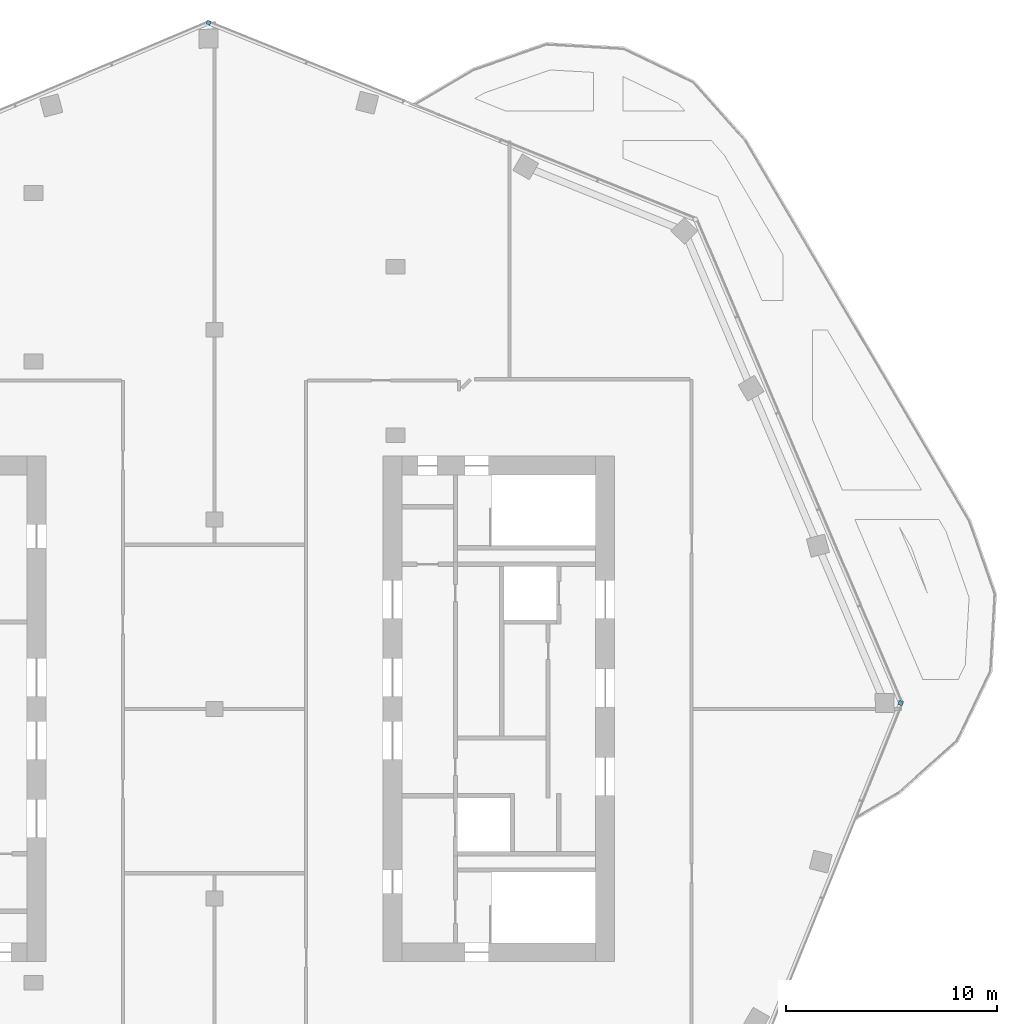
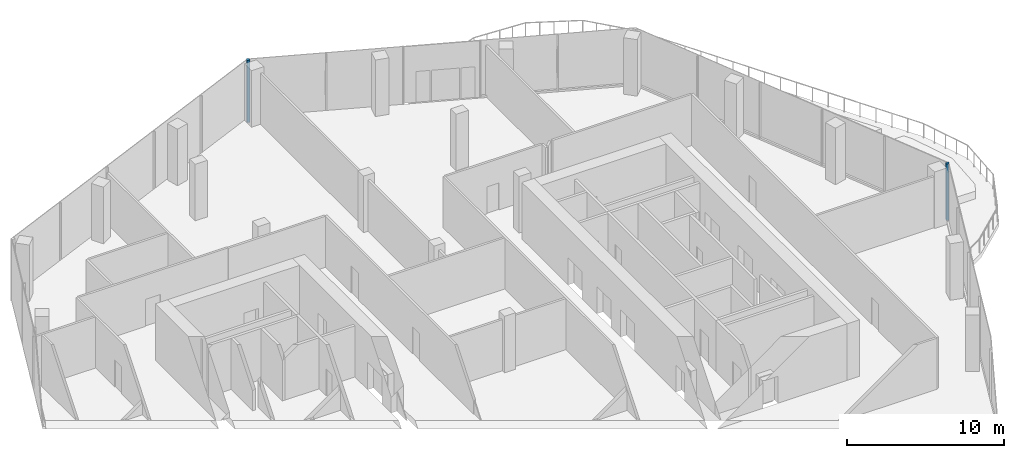
# One storey, part 10 of 15: 2 members, 2 elements without a shape of their own.
"""IFC4 building model written with IfcOpenShell, lengths in metres."""

from ifc_helpers import new_model, si_unit, direction, frame, origin, origin_2d, place, context, subcontext, project, spatial, rectangle, extrude, material, material_profile, profile_set, type_object, element, aggregate, save


model = new_model("IFC4")

# Units and contexts
model_context = context("Model", 3, precision=1e-05, world=origin(), true_north=direction((0.0, 1.0)))
body_context = subcontext(model_context, "Body", "Model", "MODEL_VIEW")
ifc_project = project(units=[si_unit("LENGTHUNIT", "METRE"), si_unit("AREAUNIT", "SQUARE_METRE"), si_unit("VOLUMEUNIT", "CUBIC_METRE"), si_unit("PLANEANGLEUNIT", "RADIAN"), si_unit("MASSUNIT", "GRAM", prefix="KILO")], contexts=[model_context])

# Site, building, storey
site_placement = place(None, origin())
site = spatial("IfcSite", under=ifc_project, at=site_placement, CompositionType="ELEMENT")
building_placement = place(site_placement, origin())
building = spatial("IfcBuilding", under=site, at=building_placement, Name="Orlundy Tower", CompositionType="ELEMENT")
storey_placement = place(building_placement, frame((0.0, 0.0, 299.89990234375)))
storey = spatial("IfcBuildingStorey", under=building, at=storey_placement, Name="L80", CompositionType="ELEMENT", Elevation=299.89990234375)

# Curtain wall, member
ifc_material_1 = material(Name="Aluminium bronze anodised", Category="aluminium")
curtain_wall_type = type_object("IfcCurtainWallType", Name="CW4 wall", PredefinedType="NOTDEFINED", material=ifc_material_1)
curtain_wall_1_placement = place(storey_placement, origin())
curtain_wall_1 = element("IfcCurtainWall", 1, at=curtain_wall_1_placement, inside=storey, type_object=curtain_wall_type, Name="CW4 run 01", PredefinedType="NOTDEFINED")
ifc_material_2 = material(Name="Aluminium bronze anodised", Category="aluminium")
ifc_material_profile = material_profile(ifc_material_2, rectangle(XDim=0.199951171875, YDim=0.199951171875, at=origin_2d()), Name="CW4 corner post 200x200")
ifc_profile_set = profile_set([ifc_material_profile], Name="Aluminium bronze anodised")
member_type = type_object("IfcMemberType", Name="CW4 corner post 200x200", PredefinedType="MULLION", material=ifc_profile_set)
member_1_placement = place(storey_placement, frame((32.579345703125, 0.283935546875, 0.0), z_axis=(0.0, 0.0, 1.0), x_axis=(0.927183523653, -0.374607412456, 0.0)))
member_1 = element("IfcMember", 2, at=member_1_placement, type_object=member_type, Name="CW4 mullion 6", PredefinedType="MULLION", context=body_context, shape_type="SweptSolid", body=[
    extrude(rectangle(XDim=0.199951171875, YDim=0.199951171875, at=origin_2d()), origin(), (0.0, 0.0, 1.0), 4.400146484375),
])
aggregate(curtain_wall_1, [member_1])

curtain_wall_2_placement = place(storey_placement, origin())
curtain_wall_2 = element("IfcCurtainWall", 3, at=curtain_wall_2_placement, inside=storey, type_object=curtain_wall_type, Name="CW4 run 07", PredefinedType="NOTDEFINED")
member_2_placement = place(storey_placement, frame((-0.283935546875, 32.579345703125, -0.449951171875), z_axis=(0.0, 0.0, 1.0), x_axis=(0.374607412456, 0.927183523653, 0.0)))
member_2 = element("IfcMember", 4, at=member_2_placement, type_object=member_type, Name="CW4 mullion 36", PredefinedType="MULLION", context=body_context, shape_type="SweptSolid", body=[
    extrude(rectangle(XDim=0.199951171875, YDim=0.199951171875, at=origin_2d()), origin(), (0.0, 0.0, 1.0), 4.85009765625),
])
aggregate(curtain_wall_2, [member_2])

save(model, "model.ifc")
